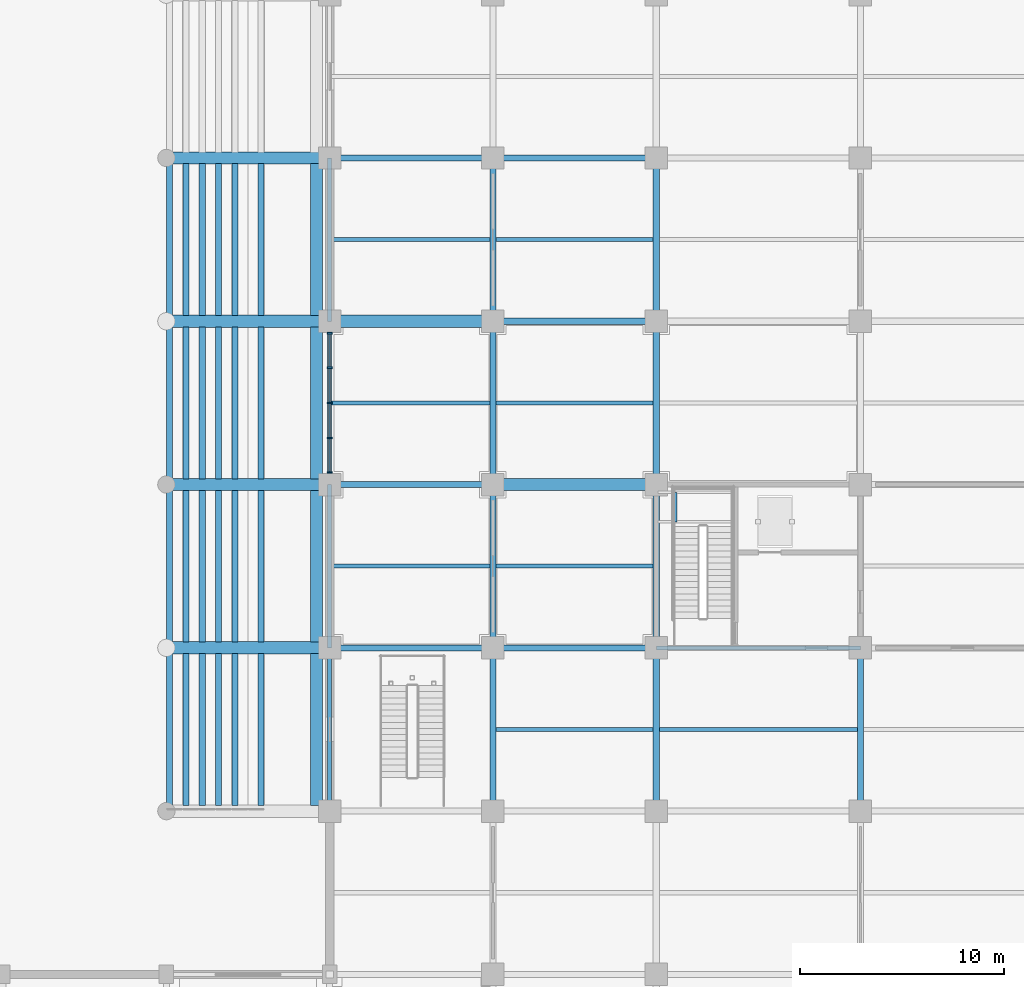
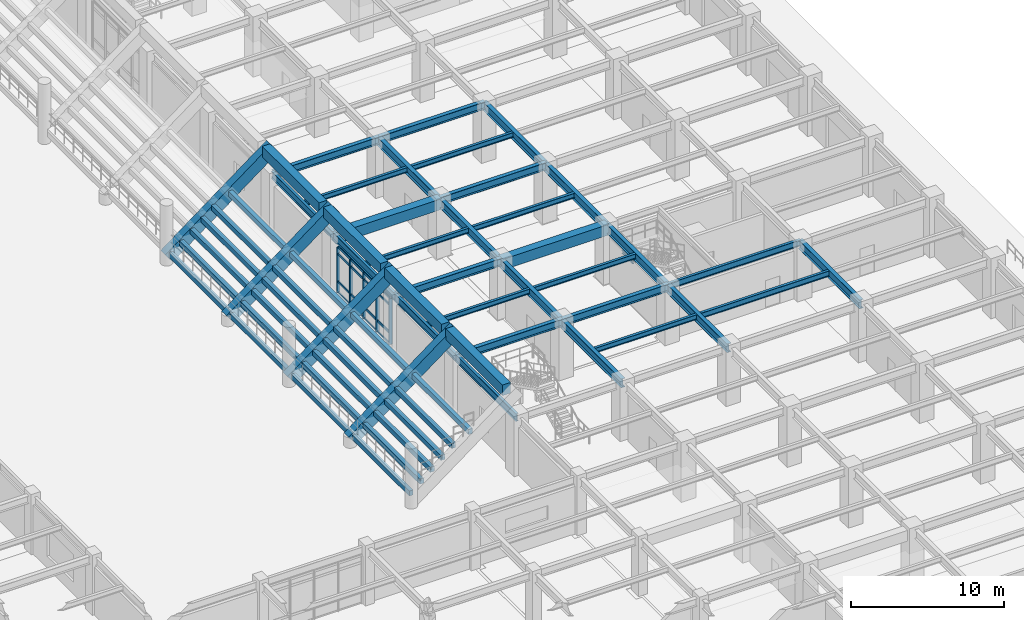
# One storey, part 39 of 125: 63 beams, 21 members, 1 element without a shape of its own.
"""IFC4 building model written with IfcOpenShell, lengths in metres."""

from ifc_helpers import new_model, si_unit, direction, frame, origin, origin_2d, place, context, subcontext, project, spatial, rectangle, i_section, extrude, material, layer, layer_set, material_profile, profile_set, type_object, element, aggregate, save


model = new_model("IFC4")

# Units and contexts
model_context = context("Model", 3, precision=1e-05, world=origin(), true_north=direction((0.0, 1.0)))
body_context = subcontext(model_context, "Body", "Model", "MODEL_VIEW")
ifc_project = project(units=[si_unit("LENGTHUNIT", "METRE"), si_unit("AREAUNIT", "SQUARE_METRE"), si_unit("VOLUMEUNIT", "CUBIC_METRE"), si_unit("PLANEANGLEUNIT", "RADIAN"), si_unit("MASSUNIT", "GRAM", prefix="KILO")], contexts=[model_context])

# Site, building, storey
site_placement = place(None, origin())
site = spatial("IfcSite", under=ifc_project, at=site_placement, CompositionType="ELEMENT")
building_placement = place(site_placement, origin())
building = spatial("IfcBuilding", under=site, at=building_placement, Name="Haebicheon Civic Stadium", CompositionType="ELEMENT")
storey_placement = place(building_placement, origin())
storey = spatial("IfcBuildingStorey", under=building, at=storey_placement, Name="L01", CompositionType="ELEMENT", Elevation=0.0)

# Beams
ifc_material_1 = material(Name="Precast concrete C40/50", Category="concrete")
ifc_material_profile_1 = material_profile(ifc_material_1, rectangle(XDim=0.300048828125, YDim=0.39990234375, at=origin_2d()), Name="PC-LN-300x400")
ifc_profile_set_1 = profile_set([ifc_material_profile_1], Name="Precast concrete C40/50")
beam_type_1 = type_object("IfcBeamType", Name="BM-LN-300x400", PredefinedType="LINTEL", material=ifc_profile_set_1)
for number, where, z_axis, x_axis, name in (
    (1, (192.159912109375, 56.280029296875, 0.760009765625), (0.0, 1.0, 0.0), (-1.0, 0.0, 0.0), "TIER-C-L precast step carrier beam 1.1"),
    (2, (192.9599609375, 56.280029296875, 1.427001953125), (0.0, 1.0, 0.0), (-1.0, 0.0, 0.0), "TIER-C-L precast step carrier beam 1.2"),
    (3, (193.760009765625, 56.280029296875, 2.093017578125), (0.0, 1.0, 0.0), (-1.0, 0.0, 0.0), "TIER-C-L precast step carrier beam 1.3"),
    (4, (194.56005859375, 56.280029296875, 2.760009765625), (0.0, 1.0, 0.0), (-1.0, 0.0, 0.0), "TIER-C-L precast step carrier beam 1.4"),
    (5, (195.360107421875, 56.280029296875, 3.427001953125), (0.0, 1.0, 0.0), (-1.0, 0.0, 0.0), "TIER-C-L precast step carrier beam 1.5"),
    (6, (196.639892578125, 56.280029296875, 4.093017578125), (0.0, 1.0, 0.0), (-1.0, 0.0, 0.0), "TIER-C-L precast step carrier beam 1.6"),
    (7, (192.159912109375, 64.280029296875, 0.760009765625), (0.0, 1.0, 0.0), (-1.0, 0.0, 0.0), "TIER-C-L precast step carrier beam 2.1"),
    (8, (192.9599609375, 64.280029296875, 1.427001953125), (0.0, 1.0, 0.0), (-1.0, 0.0, 0.0), "TIER-C-L precast step carrier beam 2.2"),
    (9, (193.760009765625, 64.280029296875, 2.093017578125), (0.0, 1.0, 0.0), (-1.0, 0.0, 0.0), "TIER-C-L precast step carrier beam 2.3"),
    (10, (194.56005859375, 64.280029296875, 2.760009765625), (0.0, 1.0, 0.0), (-1.0, 0.0, 0.0), "TIER-C-L precast step carrier beam 2.4"),
    (11, (195.360107421875, 64.280029296875, 3.427001953125), (0.0, 1.0, 0.0), (-1.0, 0.0, 0.0), "TIER-C-L precast step carrier beam 2.5"),
    (12, (196.639892578125, 64.280029296875, 4.093017578125), (0.0, 1.0, 0.0), (-1.0, 0.0, 0.0), "TIER-C-L precast step carrier beam 2.6"),
    (13, (192.159912109375, 72.280029296875, 0.760009765625), (0.0, 1.0, 0.0), (-1.0, 0.0, 0.0), "TIER-C-L precast step carrier beam 3.1"),
    (14, (192.9599609375, 72.280029296875, 1.427001953125), (0.0, 1.0, 0.0), (-1.0, 0.0, 0.0), "TIER-C-L precast step carrier beam 3.2"),
    (15, (193.760009765625, 72.280029296875, 2.093017578125), (0.0, 1.0, 0.0), (-1.0, 0.0, 0.0), "TIER-C-L precast step carrier beam 3.3"),
    (16, (194.56005859375, 72.280029296875, 2.760009765625), (0.0, 1.0, 0.0), (-1.0, 0.0, 0.0), "TIER-C-L precast step carrier beam 3.4"),
    (17, (195.360107421875, 72.280029296875, 3.427001953125), (0.0, 1.0, 0.0), (-1.0, 0.0, 0.0), "TIER-C-L precast step carrier beam 3.5"),
    (18, (196.639892578125, 72.280029296875, 4.093017578125), (0.0, 1.0, 0.0), (-1.0, 0.0, 0.0), "TIER-C-L precast step carrier beam 3.6"),
    (19, (192.159912109375, 80.280029296875, 0.760009765625), (0.0, 1.0, 0.0), (-1.0, 0.0, 0.0), "TIER-C-L precast step carrier beam 4.1"),
    (20, (192.9599609375, 80.280029296875, 1.427001953125), (0.0, 1.0, 0.0), (-1.0, 0.0, 0.0), "TIER-C-L precast step carrier beam 4.2"),
    (21, (193.760009765625, 80.280029296875, 2.093017578125), (0.0, 1.0, 0.0), (-1.0, 0.0, 0.0), "TIER-C-L precast step carrier beam 4.3"),
    (22, (194.56005859375, 80.280029296875, 2.760009765625), (0.0, 1.0, 0.0), (-1.0, 0.0, 0.0), "TIER-C-L precast step carrier beam 4.4"),
    (23, (195.360107421875, 80.280029296875, 3.427001953125), (0.0, 1.0, 0.0), (-1.0, 0.0, 0.0), "TIER-C-L precast step carrier beam 4.5"),
    (24, (196.639892578125, 80.280029296875, 4.093017578125), (0.0, 1.0, 0.0), (-1.0, 0.0, 0.0), "TIER-C-L precast step carrier beam 4.6"),
):
    element("IfcBeam", number, at=place(storey_placement, frame(where, z_axis=z_axis, x_axis=x_axis)), inside=storey, type_object=beam_type_1, material=ifc_profile_set_1, Name=name, PredefinedType="LINTEL", context=body_context, shape_type="SweptSolid", body=[
        extrude(rectangle(XDim=0.300048828125, YDim=0.39990234375, at=origin_2d()), origin(), (0.0, 0.0, 1.0), 7.43994140625),
    ])
ifc_material_2 = material(Name="Steel SM355 (S355)", Category="steel")
ifc_material_profile_2 = material_profile(ifc_material_2, i_section(OverallWidth=0.199951171875, OverallDepth=0.5, WebThickness=0.010009765625, FlangeThickness=0.01611328125, at=origin_2d()), Name="H-500x200x10x16")
ifc_profile_set_2 = profile_set([ifc_material_profile_2], Name="Steel SM355 (S355)")
beam_type_2 = type_object("IfcBeamType", Name="BM-ST-H500", PredefinedType="BEAM", material=ifc_profile_set_2)
beam_1_placement = place(storey_placement, frame((216.0, 64.0, 4.27001953125), z_axis=(1.0, 0.0, 0.0), x_axis=(0.0, 1.0, 0.0)))
element("IfcBeam", 25, at=beam_1_placement, inside=storey, type_object=beam_type_2, material=ifc_profile_set_2, Name="L01 beam J/28-29", PredefinedType="BEAM", context=body_context, shape_type="SweptSolid", body=[
    extrude(i_section(OverallWidth=0.199951171875, OverallDepth=0.5, WebThickness=0.010009765625, FlangeThickness=0.01611328125, at=origin_2d()), origin(), (0.0, 0.0, 1.0), 10.0),
])
ifc_material_3 = material(Name="Steel SM355 (S355)", Category="steel")
ifc_material_profile_3 = material_profile(ifc_material_3, i_section(OverallWidth=0.300048828125, OverallDepth=0.60009765625, WebThickness=0.011962890625, FlangeThickness=0.02001953125, at=origin_2d()), Name="H-600x300x12x20")
ifc_profile_set_3 = profile_set([ifc_material_profile_3], Name="Steel SM355 (S355)")
beam_type_3 = type_object("IfcBeamType", Name="BM-ST-H600A", PredefinedType="BEAM", material=ifc_profile_set_3)
for number, where, z_axis, x_axis, name in (
    (26, (200.0, 64.0, 4.219970703125), (1.0, 0.0, 0.0), (0.0, 1.0, 0.0), "L01 beam J/26-27"),
    (27, (200.0, 72.0, 4.219970703125), (1.0, 0.0, 0.0), (0.0, 1.0, 0.0), "L01 beam K/26-27"),
    (28, (200.0, 88.0, 4.219970703125), (1.0, 0.0, 0.0), (0.0, 1.0, 0.0), "L01 beam M/26-27"),
    (29, (208.0, 64.0, 4.219970703125), (1.0, 0.0, 0.0), (0.0, 1.0, 0.0), "L01 beam J/27-28"),
    (30, (208.0, 80.0, 4.219970703125), (1.0, 0.0, 0.0), (0.0, 1.0, 0.0), "L01 beam L/27-28"),
    (31, (208.0, 88.0, 4.219970703125), (1.0, 0.0, 0.0), (0.0, 1.0, 0.0), "L01 beam M/27-28"),
):
    element("IfcBeam", number, at=place(storey_placement, frame(where, z_axis=z_axis, x_axis=x_axis)), inside=storey, type_object=beam_type_3, material=ifc_profile_set_3, Name=name, PredefinedType="BEAM", context=body_context, shape_type="SweptSolid", body=[
        extrude(i_section(OverallWidth=0.300048828125, OverallDepth=0.60009765625, WebThickness=0.011962890625, FlangeThickness=0.02001953125, at=origin_2d()), origin(), (0.0, 0.0, 1.0), 8.0),
    ])
ifc_material_4 = material(Name="Steel SM490", Category="steel")
ifc_material_profile_4 = material_profile(ifc_material_4, i_section(OverallWidth=0.300048828125, OverallDepth=0.699951171875, WebThickness=0.012939453125, FlangeThickness=0.02392578125, at=origin_2d()), Name="H-700x300x13x24")
ifc_profile_set_4 = profile_set([ifc_material_profile_4], Name="Steel SM490")
beam_type_4 = type_object("IfcBeamType", Name="BM-ST-H700", PredefinedType="BEAM", material=ifc_profile_set_4)
for number, where, z_axis, x_axis, name in (
    (32, (208.0, 56.0, 4.169921875), (0.0, 1.0, 0.0), (-1.0, 0.0, 0.0), "L01 girder 27/H-J"),
    (33, (208.0, 64.0, 4.169921875), (0.0, 1.0, 0.0), (-1.0, 0.0, 0.0), "L01 girder 27/J-K"),
    (34, (208.0, 72.0, 4.169921875), (0.0, 1.0, 0.0), (-1.0, 0.0, 0.0), "L01 girder 27/K-L"),
    (35, (208.0, 80.0, 4.169921875), (0.0, 1.0, 0.0), (-1.0, 0.0, 0.0), "L01 girder 27/L-M"),
    (36, (216.0, 56.0, 4.169921875), (0.0, 1.0, 0.0), (-1.0, 0.0, 0.0), "L01 girder 28/H-J"),
    (37, (216.0, 64.0, 4.169921875), (0.0, 1.0, 0.0), (-1.0, 0.0, 0.0), "L01 girder 28/J-K"),
    (38, (216.0, 72.0, 4.169921875), (0.0, 1.0, 0.0), (-1.0, 0.0, 0.0), "L01 girder 28/K-L"),
    (39, (216.0, 80.0, 4.169921875), (0.0, 1.0, 0.0), (-1.0, 0.0, 0.0), "L01 girder 28/L-M"),
    (40, (226.0, 56.0, 4.169921875), (0.0, 1.0, 0.0), (-1.0, 0.0, 0.0), "L01 girder 29/H-J"),
):
    element("IfcBeam", number, at=place(storey_placement, frame(where, z_axis=z_axis, x_axis=x_axis)), inside=storey, type_object=beam_type_4, material=ifc_profile_set_4, Name=name, PredefinedType="BEAM", context=body_context, shape_type="SweptSolid", body=[
        extrude(i_section(OverallWidth=0.300048828125, OverallDepth=0.699951171875, WebThickness=0.012939453125, FlangeThickness=0.02392578125, at=origin_2d()), origin(), (0.0, 0.0, 1.0), 8.0),
    ])
ifc_material_5 = material(Name="Precast concrete C40/50", Category="concrete")
ifc_material_profile_5 = material_profile(ifc_material_5, rectangle(XDim=0.60009765625, YDim=0.85009765625, at=origin_2d()), Name="PC-TB-600x850")
ifc_profile_set_5 = profile_set([ifc_material_profile_5], Name="Precast concrete C40/50")
beam_type_5 = type_object("IfcBeamType", Name="BM-TB-600x850", PredefinedType="T_BEAM", material=ifc_profile_set_5)
for number, where, z_axis, x_axis, name in (
    (41, (200.0, 80.0, 4.094970703125), (1.0, 0.0, 0.0), (0.0, 1.0, 0.0), "L01 beam L/26-27"),
    (42, (208.0, 72.0, 4.094970703125), (1.0, 0.0, 0.0), (0.0, 1.0, 0.0), "L01 beam K/27-28"),
):
    element("IfcBeam", number, at=place(storey_placement, frame(where, z_axis=z_axis, x_axis=x_axis)), inside=storey, type_object=beam_type_5, material=ifc_profile_set_5, Name=name, PredefinedType="T_BEAM", context=body_context, shape_type="SweptSolid", body=[
        extrude(rectangle(XDim=0.60009765625, YDim=0.85009765625, at=origin_2d()), origin(), (0.0, 0.0, 1.0), 8.0),
    ])
for number, where, z_axis, x_axis, name in (
    (43, (199.360107421875, 56.280029296875, 6.534912109375), (0.0, 1.0, 0.0), (-1.0, 0.0, 0.0), "TIER-C-L upper tier bench carrier beam 1"),
    (44, (199.360107421875, 64.280029296875, 6.534912109375), (0.0, 1.0, 0.0), (-1.0, 0.0, 0.0), "TIER-C-L upper tier bench carrier beam 2"),
    (45, (199.360107421875, 72.280029296875, 6.534912109375), (0.0, 1.0, 0.0), (-1.0, 0.0, 0.0), "TIER-C-L upper tier bench carrier beam 3"),
    (46, (199.360107421875, 80.280029296875, 6.534912109375), (0.0, 1.0, 0.0), (-1.0, 0.0, 0.0), "TIER-C-L upper tier bench carrier beam 4"),
):
    element("IfcBeam", number, at=place(storey_placement, frame(where, z_axis=z_axis, x_axis=x_axis)), inside=storey, type_object=beam_type_5, material=ifc_profile_set_5, Name=name, PredefinedType="T_BEAM", context=body_context, shape_type="SweptSolid", body=[
        extrude(rectangle(XDim=0.60009765625, YDim=0.85009765625, at=origin_2d()), origin(), (0.0, 0.0, 1.0), 7.43994140625),
    ])

# Curtain wall, members
ifc_material_6 = material(Name="Anodised aluminium and laminated glass", Category="aluminium")
ifc_layer = layer(ifc_material_6, 0.179931640625, Name="Anodised aluminium and laminated glass")
ifc_layer_set = layer_set([ifc_layer], Name="Anodised aluminium and laminated glass")
curtain_wall_type = type_object("IfcCurtainWallType", Name="CW-6900x3660", PredefinedType="NOTDEFINED", material=ifc_layer_set)
curtain_wall_placement = place(storey_placement, origin())
curtain_wall = element("IfcCurtainWall", 47, at=curtain_wall_placement, inside=storey, type_object=curtain_wall_type, material=ifc_layer_set, Name="L01 unitised curtain wall 025", PredefinedType="NOTDEFINED")
ifc_material_7 = material(Name="Anodised aluminium 6063-T6", Category="aluminium")
ifc_material_profile_6 = material_profile(ifc_material_7, rectangle(XDim=0.080078125, YDim=0.239990234375, at=origin_2d()), Name="ALU-MULL-80x240")
ifc_profile_set_6 = profile_set([ifc_material_profile_6], Name="Anodised aluminium 6063-T6")
member_type_1 = type_object("IfcMemberType", Name="CWM-240x80", PredefinedType="MULLION", material=ifc_profile_set_6)
member_1_placement = place(storey_placement, frame((200.0, 72.590087890625, 0.0), z_axis=(0.0, 0.0, 1.0), x_axis=(0.0, 1.0, 0.0)))
member_1 = element("IfcMember", 48, at=member_1_placement, type_object=member_type_1, material=ifc_profile_set_6, Name="CW-L01-025 vertical mullion 1", PredefinedType="MULLION", context=body_context, shape_type="SweptSolid", body=[
    extrude(rectangle(XDim=0.080078125, YDim=0.239990234375, at=origin_2d()), origin(), (0.0, 0.0, 1.0), 3.659912109375),
])
member_2_placement = place(storey_placement, frame((200.0, 74.27490234375, 0.0), z_axis=(0.0, 0.0, 1.0), x_axis=(0.0, 1.0, 0.0)))
member_2 = element("IfcMember", 49, at=member_2_placement, type_object=member_type_1, material=ifc_profile_set_6, Name="CW-L01-025 vertical mullion 2", PredefinedType="MULLION", context=body_context, shape_type="SweptSolid", body=[
    extrude(rectangle(XDim=0.080078125, YDim=0.239990234375, at=origin_2d()), origin(), (0.0, 0.0, 1.0), 3.659912109375),
])
member_3_placement = place(storey_placement, frame((200.0, 76.0, 0.0), z_axis=(0.0, 0.0, 1.0), x_axis=(0.0, 1.0, 0.0)))
member_3 = element("IfcMember", 50, at=member_3_placement, type_object=member_type_1, material=ifc_profile_set_6, Name="CW-L01-025 vertical mullion 3", PredefinedType="MULLION", context=body_context, shape_type="SweptSolid", body=[
    extrude(rectangle(XDim=0.080078125, YDim=0.239990234375, at=origin_2d()), origin(), (0.0, 0.0, 1.0), 3.659912109375),
])
member_4_placement = place(storey_placement, frame((200.0, 77.72509765625, 0.0), z_axis=(0.0, 0.0, 1.0), x_axis=(0.0, 1.0, 0.0)))
member_4 = element("IfcMember", 51, at=member_4_placement, type_object=member_type_1, material=ifc_profile_set_6, Name="CW-L01-025 vertical mullion 4", PredefinedType="MULLION", context=body_context, shape_type="SweptSolid", body=[
    extrude(rectangle(XDim=0.080078125, YDim=0.239990234375, at=origin_2d()), origin(), (0.0, 0.0, 1.0), 3.659912109375),
])
member_5_placement = place(storey_placement, frame((200.0, 79.409912109375, 0.0), z_axis=(0.0, 0.0, 1.0), x_axis=(0.0, 1.0, 0.0)))
member_5 = element("IfcMember", 52, at=member_5_placement, type_object=member_type_1, material=ifc_profile_set_6, Name="CW-L01-025 vertical mullion 5", PredefinedType="MULLION", context=body_context, shape_type="SweptSolid", body=[
    extrude(rectangle(XDim=0.080078125, YDim=0.239990234375, at=origin_2d()), origin(), (0.0, 0.0, 1.0), 3.659912109375),
])
ifc_material_8 = material(Name="Anodised aluminium 6063-T6", Category="aluminium")
ifc_material_profile_7 = material_profile(ifc_material_8, rectangle(XDim=0.080078125, YDim=0.179931640625, at=origin_2d()), Name="ALU-TRAN-80x180")
ifc_profile_set_7 = profile_set([ifc_material_profile_7], Name="Anodised aluminium 6063-T6")
member_type_2 = type_object("IfcMemberType", Name="CWT-180x80", PredefinedType="NOTDEFINED", material=ifc_profile_set_7)
member_6_placement = place(storey_placement, frame((200.0, 72.6298828125, 0.0), z_axis=(0.0, 1.0, 0.0), x_axis=(-1.0, 0.0, 0.0)))
member_6 = element("IfcMember", 53, at=member_6_placement, type_object=member_type_2, material=ifc_profile_set_7, Name="CW-L01-025 horizontal transom 1.1", ObjectType="TRANSOM", PredefinedType="USERDEFINED", context=body_context, shape_type="SweptSolid", body=[
    extrude(rectangle(XDim=0.080078125, YDim=0.179931640625, at=origin_2d()), origin(), (0.0, 0.0, 1.0), 1.605224609375),
])
member_7_placement = place(storey_placement, frame((200.0, 72.6298828125, 0.89990234375), z_axis=(0.0, 1.0, 0.0), x_axis=(-1.0, 0.0, 0.0)))
member_7 = element("IfcMember", 54, at=member_7_placement, type_object=member_type_2, material=ifc_profile_set_7, Name="CW-L01-025 horizontal transom 1.2", ObjectType="TRANSOM", PredefinedType="USERDEFINED", context=body_context, shape_type="SweptSolid", body=[
    extrude(rectangle(XDim=0.080078125, YDim=0.179931640625, at=origin_2d()), origin(), (0.0, 0.0, 1.0), 1.605224609375),
])
member_8_placement = place(storey_placement, frame((200.0, 72.6298828125, 3.110107421875), z_axis=(0.0, 1.0, 0.0), x_axis=(-1.0, 0.0, 0.0)))
member_8 = element("IfcMember", 55, at=member_8_placement, type_object=member_type_2, material=ifc_profile_set_7, Name="CW-L01-025 horizontal transom 1.3", ObjectType="TRANSOM", PredefinedType="USERDEFINED", context=body_context, shape_type="SweptSolid", body=[
    extrude(rectangle(XDim=0.080078125, YDim=0.179931640625, at=origin_2d()), origin(), (0.0, 0.0, 1.0), 1.605224609375),
])
member_9_placement = place(storey_placement, frame((200.0, 72.6298828125, 3.659912109375), z_axis=(0.0, 1.0, 0.0), x_axis=(-1.0, 0.0, 0.0)))
member_9 = element("IfcMember", 56, at=member_9_placement, type_object=member_type_2, material=ifc_profile_set_7, Name="CW-L01-025 horizontal transom 1.4", ObjectType="TRANSOM", PredefinedType="USERDEFINED", context=body_context, shape_type="SweptSolid", body=[
    extrude(rectangle(XDim=0.080078125, YDim=0.179931640625, at=origin_2d()), origin(), (0.0, 0.0, 1.0), 1.605224609375),
])
member_10_placement = place(storey_placement, frame((200.0, 74.31494140625, 0.0), z_axis=(0.0, 1.0, 0.0), x_axis=(-1.0, 0.0, 0.0)))
member_10 = element("IfcMember", 57, at=member_10_placement, type_object=member_type_2, material=ifc_profile_set_7, Name="CW-L01-025 horizontal transom 2.1", ObjectType="TRANSOM", PredefinedType="USERDEFINED", context=body_context, shape_type="SweptSolid", body=[
    extrude(rectangle(XDim=0.080078125, YDim=0.179931640625, at=origin_2d()), origin(), (0.0, 0.0, 1.0), 1.64501953125),
])
member_11_placement = place(storey_placement, frame((200.0, 74.31494140625, 0.89990234375), z_axis=(0.0, 1.0, 0.0), x_axis=(-1.0, 0.0, 0.0)))
member_11 = element("IfcMember", 58, at=member_11_placement, type_object=member_type_2, material=ifc_profile_set_7, Name="CW-L01-025 horizontal transom 2.2", ObjectType="TRANSOM", PredefinedType="USERDEFINED", context=body_context, shape_type="SweptSolid", body=[
    extrude(rectangle(XDim=0.080078125, YDim=0.179931640625, at=origin_2d()), origin(), (0.0, 0.0, 1.0), 1.64501953125),
])
member_12_placement = place(storey_placement, frame((200.0, 74.31494140625, 3.110107421875), z_axis=(0.0, 1.0, 0.0), x_axis=(-1.0, 0.0, 0.0)))
member_12 = element("IfcMember", 59, at=member_12_placement, type_object=member_type_2, material=ifc_profile_set_7, Name="CW-L01-025 horizontal transom 2.3", ObjectType="TRANSOM", PredefinedType="USERDEFINED", context=body_context, shape_type="SweptSolid", body=[
    extrude(rectangle(XDim=0.080078125, YDim=0.179931640625, at=origin_2d()), origin(), (0.0, 0.0, 1.0), 1.64501953125),
])
member_13_placement = place(storey_placement, frame((200.0, 74.31494140625, 3.659912109375), z_axis=(0.0, 1.0, 0.0), x_axis=(-1.0, 0.0, 0.0)))
member_13 = element("IfcMember", 60, at=member_13_placement, type_object=member_type_2, material=ifc_profile_set_7, Name="CW-L01-025 horizontal transom 2.4", ObjectType="TRANSOM", PredefinedType="USERDEFINED", context=body_context, shape_type="SweptSolid", body=[
    extrude(rectangle(XDim=0.080078125, YDim=0.179931640625, at=origin_2d()), origin(), (0.0, 0.0, 1.0), 1.64501953125),
])
member_14_placement = place(storey_placement, frame((200.0, 76.0400390625, 0.0), z_axis=(0.0, 1.0, 0.0), x_axis=(-1.0, 0.0, 0.0)))
member_14 = element("IfcMember", 61, at=member_14_placement, type_object=member_type_2, material=ifc_profile_set_7, Name="CW-L01-025 horizontal transom 3.1", ObjectType="TRANSOM", PredefinedType="USERDEFINED", context=body_context, shape_type="SweptSolid", body=[
    extrude(rectangle(XDim=0.080078125, YDim=0.179931640625, at=origin_2d()), origin(), (0.0, 0.0, 1.0), 1.64501953125),
])
member_15_placement = place(storey_placement, frame((200.0, 76.0400390625, 0.89990234375), z_axis=(0.0, 1.0, 0.0), x_axis=(-1.0, 0.0, 0.0)))
member_15 = element("IfcMember", 62, at=member_15_placement, type_object=member_type_2, material=ifc_profile_set_7, Name="CW-L01-025 horizontal transom 3.2", ObjectType="TRANSOM", PredefinedType="USERDEFINED", context=body_context, shape_type="SweptSolid", body=[
    extrude(rectangle(XDim=0.080078125, YDim=0.179931640625, at=origin_2d()), origin(), (0.0, 0.0, 1.0), 1.64501953125),
])
member_16_placement = place(storey_placement, frame((200.0, 76.0400390625, 3.110107421875), z_axis=(0.0, 1.0, 0.0), x_axis=(-1.0, 0.0, 0.0)))
member_16 = element("IfcMember", 63, at=member_16_placement, type_object=member_type_2, material=ifc_profile_set_7, Name="CW-L01-025 horizontal transom 3.3", ObjectType="TRANSOM", PredefinedType="USERDEFINED", context=body_context, shape_type="SweptSolid", body=[
    extrude(rectangle(XDim=0.080078125, YDim=0.179931640625, at=origin_2d()), origin(), (0.0, 0.0, 1.0), 1.64501953125),
])
member_17_placement = place(storey_placement, frame((200.0, 76.0400390625, 3.659912109375), z_axis=(0.0, 1.0, 0.0), x_axis=(-1.0, 0.0, 0.0)))
member_17 = element("IfcMember", 64, at=member_17_placement, type_object=member_type_2, material=ifc_profile_set_7, Name="CW-L01-025 horizontal transom 3.4", ObjectType="TRANSOM", PredefinedType="USERDEFINED", context=body_context, shape_type="SweptSolid", body=[
    extrude(rectangle(XDim=0.080078125, YDim=0.179931640625, at=origin_2d()), origin(), (0.0, 0.0, 1.0), 1.64501953125),
])
member_18_placement = place(storey_placement, frame((200.0, 77.764892578125, 0.0), z_axis=(0.0, 1.0, 0.0), x_axis=(-1.0, 0.0, 0.0)))
member_18 = element("IfcMember", 65, at=member_18_placement, type_object=member_type_2, material=ifc_profile_set_7, Name="CW-L01-025 horizontal transom 4.1", ObjectType="TRANSOM", PredefinedType="USERDEFINED", context=body_context, shape_type="SweptSolid", body=[
    extrude(rectangle(XDim=0.080078125, YDim=0.179931640625, at=origin_2d()), origin(), (0.0, 0.0, 1.0), 1.605224609375),
])
member_19_placement = place(storey_placement, frame((200.0, 77.764892578125, 0.89990234375), z_axis=(0.0, 1.0, 0.0), x_axis=(-1.0, 0.0, 0.0)))
member_19 = element("IfcMember", 66, at=member_19_placement, type_object=member_type_2, material=ifc_profile_set_7, Name="CW-L01-025 horizontal transom 4.2", ObjectType="TRANSOM", PredefinedType="USERDEFINED", context=body_context, shape_type="SweptSolid", body=[
    extrude(rectangle(XDim=0.080078125, YDim=0.179931640625, at=origin_2d()), origin(), (0.0, 0.0, 1.0), 1.605224609375),
])
member_20_placement = place(storey_placement, frame((200.0, 77.764892578125, 3.110107421875), z_axis=(0.0, 1.0, 0.0), x_axis=(-1.0, 0.0, 0.0)))
member_20 = element("IfcMember", 67, at=member_20_placement, type_object=member_type_2, material=ifc_profile_set_7, Name="CW-L01-025 horizontal transom 4.3", ObjectType="TRANSOM", PredefinedType="USERDEFINED", context=body_context, shape_type="SweptSolid", body=[
    extrude(rectangle(XDim=0.080078125, YDim=0.179931640625, at=origin_2d()), origin(), (0.0, 0.0, 1.0), 1.605224609375),
])
member_21_placement = place(storey_placement, frame((200.0, 77.764892578125, 3.659912109375), z_axis=(0.0, 1.0, 0.0), x_axis=(-1.0, 0.0, 0.0)))
member_21 = element("IfcMember", 68, at=member_21_placement, type_object=member_type_2, material=ifc_profile_set_7, Name="CW-L01-025 horizontal transom 4.4", ObjectType="TRANSOM", PredefinedType="USERDEFINED", context=body_context, shape_type="SweptSolid", body=[
    extrude(rectangle(XDim=0.080078125, YDim=0.179931640625, at=origin_2d()), origin(), (0.0, 0.0, 1.0), 1.605224609375),
])
aggregate(curtain_wall, [member_1, member_2, member_3, member_4, member_5, member_6, member_7, member_8, member_9, member_10, member_11, member_12, member_13, member_14, member_15, member_16, member_17, member_18, member_19, member_20, member_21])

# Beams
ifc_material_9 = material(Name="Steel SM355 (S355)", Category="steel")
ifc_material_profile_8 = material_profile(ifc_material_9, i_section(OverallWidth=0.125, OverallDepth=0.25, WebThickness=0.006103515625, FlangeThickness=0.009033203125, at=origin_2d()), Name="H-250x125x6x9")
ifc_profile_set_8 = profile_set([ifc_material_profile_8], Name="Steel SM355 (S355)")
beam_type_6 = type_object("IfcBeamType", Name="JST-ST-H250", PredefinedType="JOIST", material=ifc_profile_set_8)
beam_2_placement = place(storey_placement, frame((216.9599609375, 70.169921875, 2.072021484375), z_axis=(0.0, 1.0, 0.0), x_axis=(-1.0, 0.0, 0.0)))
element("IfcBeam", 69, at=beam_2_placement, inside=storey, type_object=beam_type_6, material=ifc_profile_set_8, Name="KC-12 L01 stair half-landing transverse tie beam", PredefinedType="JOIST", context=body_context, shape_type="SweptSolid", body=[
    extrude(i_section(OverallWidth=0.125, OverallDepth=0.25, WebThickness=0.006103515625, FlangeThickness=0.009033203125, at=origin_2d()), origin(), (0.0, 0.0, 1.0), 1.4501953125),
])
ifc_material_10 = material(Name="Steel SM355 (S355)", Category="steel")
ifc_material_profile_9 = material_profile(ifc_material_10, i_section(OverallWidth=0.199951171875, OverallDepth=0.39990234375, WebThickness=0.008056640625, FlangeThickness=0.012939453125, at=origin_2d()), Name="H-400x200x8x13")
ifc_profile_set_9 = profile_set([ifc_material_profile_9], Name="Steel SM355 (S355)")
beam_type_7 = type_object("IfcBeamType", Name="JST-ST-H400", PredefinedType="JOIST", material=ifc_profile_set_9)
for number, where, z_axis, x_axis, name in (
    (70, (200.10009765625, 68.0, 4.320068359375), (1.0, 0.0, 0.0), (0.0, 1.0, 0.0), "L01 secondary joist 25-08"),
    (71, (200.10009765625, 76.0, 4.320068359375), (1.0, 0.0, 0.0), (0.0, 1.0, 0.0), "L01 secondary joist 25-09"),
    (72, (200.10009765625, 84.0, 4.320068359375), (1.0, 0.0, 0.0), (0.0, 1.0, 0.0), "L01 secondary joist 25-10"),
):
    element("IfcBeam", number, at=place(storey_placement, frame(where, z_axis=z_axis, x_axis=x_axis)), inside=storey, type_object=beam_type_7, material=ifc_profile_set_9, Name=name, PredefinedType="JOIST", context=body_context, shape_type="SweptSolid", body=[
        extrude(i_section(OverallWidth=0.199951171875, OverallDepth=0.39990234375, WebThickness=0.008056640625, FlangeThickness=0.012939453125, at=origin_2d()), origin(), (0.0, 0.0, 1.0), 7.75),
    ])
for number, where, z_axis, x_axis, name in (
    (73, (208.14990234375, 60.0, 4.320068359375), (1.0, 0.0, 0.0), (0.0, 1.0, 0.0), "L01 secondary joist 26-07"),
    (74, (208.14990234375, 68.0, 4.320068359375), (1.0, 0.0, 0.0), (0.0, 1.0, 0.0), "L01 secondary joist 26-08"),
    (75, (208.14990234375, 76.0, 4.320068359375), (1.0, 0.0, 0.0), (0.0, 1.0, 0.0), "L01 secondary joist 26-09"),
    (76, (208.14990234375, 84.0, 4.320068359375), (1.0, 0.0, 0.0), (0.0, 1.0, 0.0), "L01 secondary joist 26-10"),
):
    element("IfcBeam", number, at=place(storey_placement, frame(where, z_axis=z_axis, x_axis=x_axis)), inside=storey, type_object=beam_type_7, material=ifc_profile_set_9, Name=name, PredefinedType="JOIST", context=body_context, shape_type="SweptSolid", body=[
        extrude(i_section(OverallWidth=0.199951171875, OverallDepth=0.39990234375, WebThickness=0.008056640625, FlangeThickness=0.012939453125, at=origin_2d()), origin(), (0.0, 0.0, 1.0), 7.7001953125),
    ])
ifc_material_11 = material(Name="Steel SM355 (S355)", Category="steel")
ifc_material_profile_10 = material_profile(ifc_material_11, i_section(OverallWidth=0.199951171875, OverallDepth=0.449951171875, WebThickness=0.009033203125, FlangeThickness=0.013916015625, at=origin_2d()), Name="H-450x200x9x14")
ifc_profile_set_10 = profile_set([ifc_material_profile_10], Name="Steel SM355 (S355)")
beam_type_8 = type_object("IfcBeamType", Name="JST-ST-H450", PredefinedType="JOIST", material=ifc_profile_set_10)
beam_3_placement = place(storey_placement, frame((216.14990234375, 60.0, 4.294921875), z_axis=(1.0, 0.0, 0.0), x_axis=(0.0, 1.0, 0.0)))
element("IfcBeam", 77, at=beam_3_placement, inside=storey, type_object=beam_type_8, material=ifc_profile_set_10, Name="L01 secondary joist 27-07", PredefinedType="JOIST", context=body_context, shape_type="SweptSolid", body=[
    extrude(i_section(OverallWidth=0.199951171875, OverallDepth=0.449951171875, WebThickness=0.009033203125, FlangeThickness=0.013916015625, at=origin_2d()), origin(), (0.0, 0.0, 1.0), 9.7001953125),
])
ifc_material_12 = material(Name="Precast concrete C40/50", Category="concrete")
ifc_material_profile_11 = material_profile(ifc_material_12, rectangle(XDim=0.60009765625, YDim=0.949951171875, at=origin_2d()), Name="PC-RK-600x950")
ifc_profile_set_11 = profile_set([ifc_material_profile_11], Name="Precast concrete C40/50")
beam_type_9 = type_object("IfcBeamType", Name="RK-PC-600x950", PredefinedType="USERDEFINED", material=ifc_profile_set_11)
for number, where, z_axis, x_axis, name in (
    (78, (192.0, 64.0, 0.485107421875), (0.8, 0.0, 0.6), (0.0, 1.0, 0.0), "TIER-C-L inclined precast raker beam 2"),
    (79, (192.0, 72.0, 0.485107421875), (0.8, 0.0, 0.6), (0.0, 1.0, 0.0), "TIER-C-L inclined precast raker beam 3"),
    (80, (192.0, 80.0, 0.485107421875), (0.8, 0.0, 0.6), (0.0, 1.0, 0.0), "TIER-C-L inclined precast raker beam 4"),
    (81, (192.0, 88.0, 0.485107421875), (0.8, 0.0, 0.6), (0.0, 1.0, 0.0), "TIER-C-L inclined precast raker beam 5"),
):
    element("IfcBeam", number, at=place(storey_placement, frame(where, z_axis=z_axis, x_axis=x_axis)), inside=storey, type_object=beam_type_9, material=ifc_profile_set_11, Name=name, ObjectType="RAKER BEAM", PredefinedType="USERDEFINED", context=body_context, shape_type="SweptSolid", body=[
        extrude(rectangle(XDim=0.60009765625, YDim=0.949951171875, at=origin_2d()), origin(), (0.0, 0.0, 1.0), 10.0),
    ])
ifc_material_13 = material(Name="Steel SM355 (S355)", Category="steel")
ifc_material_profile_12 = material_profile(ifc_material_13, i_section(OverallWidth=0.199951171875, OverallDepth=0.60009765625, WebThickness=0.010986328125, FlangeThickness=0.01708984375, at=origin_2d()), Name="H-600x200x11x17")
ifc_profile_set_12 = profile_set([ifc_material_profile_12], Name="Steel SM355 (S355)")
beam_type_10 = type_object("IfcBeamType", Name="SPD-ST-H600B", PredefinedType="SPANDREL", material=ifc_profile_set_12)
for number, where, z_axis, x_axis, name in (
    (82, (200.0, 56.0, 4.219970703125), (0.0, 1.0, 0.0), (-1.0, 0.0, 0.0), "L01 girder 26/H-J"),
    (83, (200.0, 64.0, 4.219970703125), (0.0, 1.0, 0.0), (-1.0, 0.0, 0.0), "L01 girder 26/J-K"),
    (84, (200.0, 72.0, 4.219970703125), (0.0, 1.0, 0.0), (-1.0, 0.0, 0.0), "L01 girder 26/K-L"),
    (85, (200.0, 80.0, 4.219970703125), (0.0, 1.0, 0.0), (-1.0, 0.0, 0.0), "L01 girder 26/L-M"),
):
    element("IfcBeam", number, at=place(storey_placement, frame(where, z_axis=z_axis, x_axis=x_axis)), inside=storey, type_object=beam_type_10, material=ifc_profile_set_12, Name=name, PredefinedType="SPANDREL", context=body_context, shape_type="SweptSolid", body=[
        extrude(i_section(OverallWidth=0.199951171875, OverallDepth=0.60009765625, WebThickness=0.010986328125, FlangeThickness=0.01708984375, at=origin_2d()), origin(), (0.0, 0.0, 1.0), 8.0),
    ])

save(model, "model.ifc")
